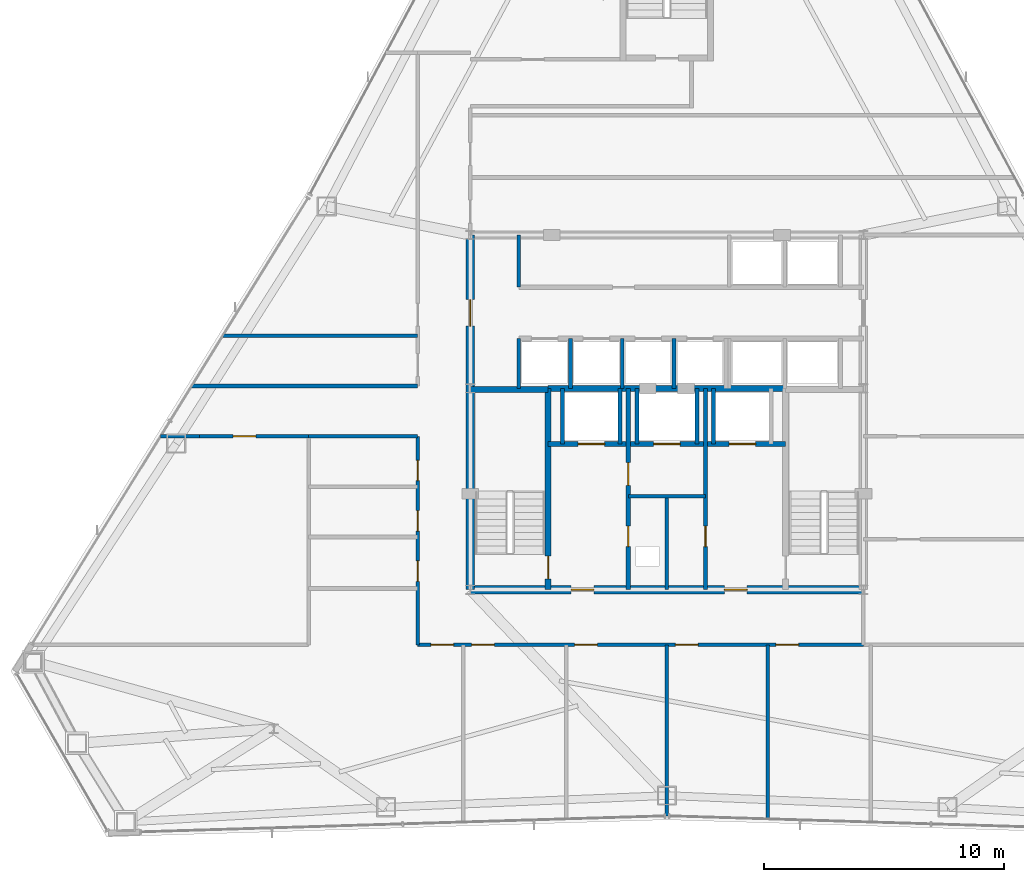
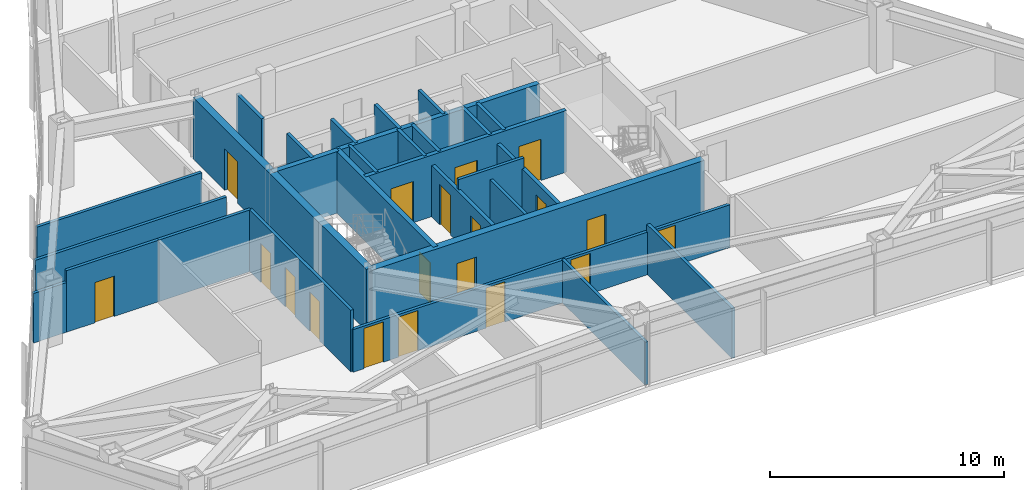
# One storey, part 10 of 13: 29 walls, 19 doors, 19 openings.
"""IFC4 building model written with IfcOpenShell, lengths in metres."""

from ifc_helpers import new_model, si_unit, direction, frame, frame_2d, origin, place, context, subcontext, project, spatial, rectangle, extrude, material, layer, layer_set, type_object, element, fill, save


model = new_model("IFC4")

# Units and contexts
model_context = context("Model", 3, precision=1e-05, world=origin(), true_north=direction((0.0, 1.0)))
body_context = subcontext(model_context, "Body", "Model", "MODEL_VIEW")
ifc_project = project(units=[si_unit("LENGTHUNIT", "METRE"), si_unit("AREAUNIT", "SQUARE_METRE"), si_unit("VOLUMEUNIT", "CUBIC_METRE"), si_unit("PLANEANGLEUNIT", "RADIAN"), si_unit("MASSUNIT", "GRAM", prefix="KILO")], contexts=[model_context])

# Site, building, storey
site_placement = place(None, origin())
site = spatial("IfcSite", under=ifc_project, at=site_placement, CompositionType="ELEMENT")
building_placement = place(site_placement, origin())
building = spatial("IfcBuilding", under=site, at=building_placement, Name="Varakhsha Concourse Tower", CompositionType="ELEMENT")
storey_placement = place(building_placement, frame((0.0, 0.0, 168.89990234375)))
storey = spatial("IfcBuildingStorey", under=building, at=storey_placement, Name="L48", CompositionType="ELEMENT", Elevation=168.89990234375)

# Wall, openings, doors
ifc_material_1 = material(Name="Concrete fc 65 MPa", Category="concrete")
ifc_layer_1 = layer(ifc_material_1, 0.35009765625, Name="WL-CORE-350")
ifc_layer_set_1 = layer_set([ifc_layer_1], Name="Concrete fc 65 MPa")
wall_type_1 = type_object("IfcWallType", Name="WL-CORE-350", PredefinedType="SHEAR", material=ifc_layer_set_1)
wall_1_placement = place(storey_placement, frame((31.800048828125, 16.39990234375, 0.0), z_axis=(0.0, 0.0, 1.0), x_axis=(1.0, 0.0, 0.0)))
wall_1 = element("IfcWall", 1, at=wall_1_placement, inside=storey, type_object=wall_type_1, Name="L48 Wall CWALL-S-L48", PredefinedType="SHEAR", context=body_context, shape_type="SweptSolid", body=[
    extrude(rectangle(XDim=16.39990234375, YDim=0.35009765625, at=frame_2d((8.199951171875, 0.0))), origin(), (0.0, 0.0, 1.0), 3.210205078125),
])
opening_1_placement = place(wall_1_placement, frame((4.199951171875, 0.0, 0.0)))
opening_1 = element("IfcOpeningElement", 2, at=opening_1_placement, cuts=wall_1, Name="Opening DF-05", PredefinedType="OPENING", context=body_context, shape_type="SweptSolid", body=[
    extrude(rectangle(XDim=0.949951171875, YDim=2.10009765625, at=frame_2d((0.47509765625, 1.050048828125))), frame((0.0, 0.18505859375, 0.0), z_axis=(0.0, -1.0, 0.0), x_axis=(1.0, 0.0, 0.0)), (0.0, 0.0, 1.0), 0.3701171875),
])
opening_2_placement = place(wall_1_placement, frame((10.60009765625, 0.0, 0.0)))
opening_2 = element("IfcOpeningElement", 3, at=opening_2_placement, cuts=wall_1, Name="Opening DF-05", PredefinedType="OPENING", context=body_context, shape_type="SweptSolid", body=[
    extrude(rectangle(XDim=0.949951171875, YDim=2.10009765625, at=frame_2d((0.47509765625, 1.050048828125))), frame((0.0, 0.18505859375, 0.0), z_axis=(0.0, -1.0, 0.0), x_axis=(1.0, 0.0, 0.0)), (0.0, 0.0, 1.0), 0.3701171875),
])
ifc_material_2 = material(Name="Hollow Galvanised Steel Fire Door Assembly", Category="steel")
door_type_1 = type_object("IfcDoorType", Name="DR-FD60-950", OperationType="NOTDEFINED", PredefinedType="DOOR", material=ifc_material_2)
door_1_placement = place(opening_1_placement, origin())
door_1 = element("IfcDoor", 4, at=door_1_placement, inside=storey, type_object=door_type_1, Name="L48 Firefighting Lobby West Door", OperationType="SINGLE_SWING_RIGHT", OverallHeight=2.10009765625, OverallWidth=0.949951171875, PredefinedType="DOOR", context=body_context, shape_type="SweptSolid", body=[
    extrude(rectangle(XDim=0.949951171875, YDim=2.10009765625, at=frame_2d((0.47509765625, 1.050048828125))), frame((0.0, 0.02490234375, 0.0), z_axis=(0.0, -1.0, 0.0), x_axis=(1.0, 0.0, 0.0)), (0.0, 0.0, 1.0), 0.050048828125),
])
fill(opening_1, door_1)
door_2_placement = place(opening_2_placement, origin())
door_2 = element("IfcDoor", 5, at=door_2_placement, inside=storey, type_object=door_type_1, Name="L48 Firefighting Lobby East Door", OperationType="SINGLE_SWING_LEFT", OverallHeight=2.10009765625, OverallWidth=0.949951171875, PredefinedType="DOOR", context=body_context, shape_type="SweptSolid", body=[
    extrude(rectangle(XDim=0.949951171875, YDim=2.10009765625, at=frame_2d((0.47509765625, 1.050048828125))), frame((0.0, 0.02490234375, 0.0), z_axis=(0.0, -1.0, 0.0), x_axis=(1.0, 0.0, 0.0)), (0.0, 0.0, 1.0), 0.050048828125),
])
fill(opening_2, door_2)

# Wall, opening, door
wall_2_placement = place(storey_placement, frame((31.800048828125, 16.39990234375, 0.0), z_axis=(0.0, 0.0, 1.0), x_axis=(0.0, 1.0, 0.0)))
wall_2 = element("IfcWall", 6, at=wall_2_placement, inside=storey, type_object=wall_type_1, Name="L48 Wall CWALL-W-L48", PredefinedType="SHEAR", context=body_context, shape_type="SweptSolid", body=[
    extrude(rectangle(XDim=14.800048828125, YDim=0.35009765625, at=frame_2d((7.39990234375, 0.0))), origin(), (0.0, 0.0, 1.0), 3.210205078125),
])
opening_3_placement = place(wall_2_placement, frame((11.0, 0.0, 0.0)))
opening_3 = element("IfcOpeningElement", 7, at=opening_3_placement, cuts=wall_2, Name="Opening DL-01", PredefinedType="OPENING", context=body_context, shape_type="SweptSolid", body=[
    extrude(rectangle(XDim=1.10009765625, YDim=2.14990234375, at=frame_2d((0.550048828125, 1.074951171875))), frame((0.0, 0.18505859375, 0.0), z_axis=(0.0, -1.0, 0.0), x_axis=(1.0, 0.0, 0.0)), (0.0, 0.0, 1.0), 0.3701171875),
])
ifc_material_3 = material(Name="Anodised Bronze Architectural Aluminium AA 6063-T6", Category="aluminium")
door_type_2 = type_object("IfcDoorType", Name="DR-LOB-1100", OperationType="NOTDEFINED", PredefinedType="DOOR", material=ifc_material_3)
door_3_placement = place(opening_3_placement, origin())
door_3 = element("IfcDoor", 8, at=door_3_placement, inside=storey, type_object=door_type_2, Name="L48 Lift Lobby West Concourse Door", OperationType="SINGLE_SWING_LEFT", OverallHeight=2.14990234375, OverallWidth=1.10009765625, PredefinedType="DOOR", context=body_context, shape_type="SweptSolid", body=[
    extrude(rectangle(XDim=1.10009765625, YDim=2.14990234375, at=frame_2d((0.550048828125, 1.074951171875))), frame((0.0, 0.02490234375, 0.0), z_axis=(0.0, -1.0, 0.0), x_axis=(1.0, 0.0, 0.0)), (0.0, 0.0, 1.0), 0.050048828125),
])
fill(opening_3, door_3)

# Wall, openings, doors
ifc_material_4 = material(Name="Fire-Rated Type X Gypsum Partition Assembly", Category="gypsum")
ifc_layer_2 = layer(ifc_material_4, 0.179931640625, Name="WL-FFLOB-180")
ifc_layer_set_2 = layer_set([ifc_layer_2], Name="Fire-Rated Type X Gypsum Partition Assembly")
wall_type_2 = type_object("IfcWallType", Name="WL-FFLOB-180", PredefinedType="PARTITIONING", material=ifc_layer_set_2)
wall_3_placement = place(storey_placement, frame((38.389892578125, 16.39990234375, 0.0), z_axis=(0.0, 0.0, 1.0), x_axis=(0.0, 1.0, 0.0)))
wall_3 = element("IfcWall", 9, at=wall_3_placement, inside=storey, type_object=wall_type_2, Name="L48 Wall FFW-1E-L48", PredefinedType="PARTITIONING", context=body_context, shape_type="SweptSolid", body=[
    extrude(rectangle(XDim=8.400146484375, YDim=0.179931640625, at=frame_2d((4.2001953125, 0.0))), origin(), (0.0, 0.0, 1.0), 2.6650390625),
])
opening_4_placement = place(wall_3_placement, frame((1.800048828125, 0.0, 0.0)))
opening_4 = element("IfcOpeningElement", 10, at=opening_4_placement, cuts=wall_3, Name="Opening DF-07", PredefinedType="OPENING", context=body_context, shape_type="SweptSolid", body=[
    extrude(rectangle(XDim=0.85009765625, YDim=2.050048828125, at=frame_2d((0.425048828125, 1.02490234375))), frame((0.0, 0.099853515625, 0.0), z_axis=(0.0, -1.0, 0.0), x_axis=(1.0, 0.0, 0.0)), (0.0, 0.0, 1.0), 0.199951171875),
])
opening_5_placement = place(wall_3_placement, frame((4.35009765625, 0.0, 0.0)))
opening_5 = element("IfcOpeningElement", 11, at=opening_5_placement, cuts=wall_3, Name="Opening DF-05", PredefinedType="OPENING", context=body_context, shape_type="SweptSolid", body=[
    extrude(rectangle(XDim=0.949951171875, YDim=2.10009765625, at=frame_2d((0.47509765625, 1.050048828125))), frame((0.0, 0.099853515625, 0.0), z_axis=(0.0, -1.0, 0.0), x_axis=(1.0, 0.0, 0.0)), (0.0, 0.0, 1.0), 0.199951171875),
])
door_type_3 = type_object("IfcDoorType", Name="DR-FD60-850", OperationType="NOTDEFINED", PredefinedType="DOOR", material=ifc_material_2)
door_4_placement = place(opening_4_placement, origin())
door_4 = element("IfcDoor", 12, at=door_4_placement, inside=storey, type_object=door_type_3, Name="L48 Power Metering Closet Door", OperationType="SINGLE_SWING_LEFT", OverallHeight=2.050048828125, OverallWidth=0.85009765625, PredefinedType="DOOR", context=body_context, shape_type="SweptSolid", body=[
    extrude(rectangle(XDim=0.85009765625, YDim=2.050048828125, at=frame_2d((0.425048828125, 1.02490234375))), frame((0.0, 0.02490234375, 0.0), z_axis=(0.0, -1.0, 0.0), x_axis=(1.0, 0.0, 0.0)), (0.0, 0.0, 1.0), 0.050048828125),
])
fill(opening_4, door_4)
door_5_placement = place(opening_5_placement, origin())
door_5 = element("IfcDoor", 13, at=door_5_placement, inside=storey, type_object=door_type_1, Name="L48 Service Vestibule Door", OperationType="SINGLE_SWING_RIGHT", OverallHeight=2.10009765625, OverallWidth=0.949951171875, PredefinedType="DOOR", context=body_context, shape_type="SweptSolid", body=[
    extrude(rectangle(XDim=0.949951171875, YDim=2.10009765625, at=frame_2d((0.47509765625, 1.050048828125))), frame((0.0, 0.02490234375, 0.0), z_axis=(0.0, -1.0, 0.0), x_axis=(1.0, 0.0, 0.0)), (0.0, 0.0, 1.0), 0.050048828125),
])
fill(opening_5, door_5)

# Wall, opening, door
wall_4_placement = place(storey_placement, frame((41.610107421875, 16.39990234375, 0.0), z_axis=(0.0, 0.0, 1.0), x_axis=(0.0, 1.0, 0.0)))
wall_4 = element("IfcWall", 14, at=wall_4_placement, inside=storey, type_object=wall_type_2, Name="L48 Wall FFW-2W-L48", PredefinedType="PARTITIONING", context=body_context, shape_type="SweptSolid", body=[
    extrude(rectangle(XDim=8.400146484375, YDim=0.179931640625, at=frame_2d((4.2001953125, 0.0))), origin(), (0.0, 0.0, 1.0), 2.6650390625),
])
opening_6_placement = place(wall_4_placement, frame((1.800048828125, 0.0, 0.0)))
opening_6 = element("IfcOpeningElement", 15, at=opening_6_placement, cuts=wall_4, Name="Opening DF-07", PredefinedType="OPENING", context=body_context, shape_type="SweptSolid", body=[
    extrude(rectangle(XDim=0.85009765625, YDim=2.050048828125, at=frame_2d((0.425048828125, 1.02490234375))), frame((0.0, 0.099853515625, 0.0), z_axis=(0.0, -1.0, 0.0), x_axis=(1.0, 0.0, 0.0)), (0.0, 0.0, 1.0), 0.199951171875),
])
door_6_placement = place(opening_6_placement, origin())
door_6 = element("IfcDoor", 16, at=door_6_placement, inside=storey, type_object=door_type_3, Name="L48 BMS Control Closet Door", OperationType="SINGLE_SWING_RIGHT", OverallHeight=2.050048828125, OverallWidth=0.85009765625, PredefinedType="DOOR", context=body_context, shape_type="SweptSolid", body=[
    extrude(rectangle(XDim=0.85009765625, YDim=2.050048828125, at=frame_2d((0.425048828125, 1.02490234375))), frame((0.0, 0.02490234375, 0.0), z_axis=(0.0, -1.0, 0.0), x_axis=(1.0, 0.0, 0.0)), (0.0, 0.0, 1.0), 0.050048828125),
])
fill(opening_6, door_6)

# Walls
ifc_layer_3 = layer(ifc_material_4, 0.14990234375, Name="WL-PART-150")
ifc_layer_set_3 = layer_set([ifc_layer_3], Name="Fire-Rated Type X Gypsum Partition Assembly")
wall_type_3 = type_object("IfcWallType", Name="WL-PART-150", PredefinedType="PARTITIONING", material=ifc_layer_set_3)
wall_5_placement = place(storey_placement, frame((38.389892578125, 20.300048828125, 0.0), z_axis=(0.0, 0.0, 1.0), x_axis=(1.0, 0.0, 0.0)))
element("IfcWall", 17, at=wall_5_placement, inside=storey, type_object=wall_type_3, Name="L48 Wall RSW-TH-L48", PredefinedType="PARTITIONING", context=body_context, shape_type="SweptSolid", body=[
    extrude(rectangle(XDim=3.22021484375, YDim=0.14990234375, at=frame_2d((1.610107421875, 0.0))), origin(), (0.0, 0.0, 1.0), 3.210205078125),
])
wall_6_placement = place(storey_placement, frame((40.0, 16.39990234375, 0.0), z_axis=(0.0, 0.0, 1.0), x_axis=(0.0, 1.0, 0.0)))
element("IfcWall", 18, at=wall_6_placement, inside=storey, type_object=wall_type_3, Name="L48 Wall RSW-TV-L48", PredefinedType="PARTITIONING", context=body_context, shape_type="SweptSolid", body=[
    extrude(rectangle(XDim=3.900146484375, YDim=0.14990234375, at=frame_2d((1.9501953125, 0.0))), origin(), (0.0, 0.0, 1.0), 2.6650390625),
])

# Wall, openings, doors
wall_7_placement = place(storey_placement, frame((29.60009765625, 14.10009765625, 0.0), z_axis=(0.0, 0.0, 1.0), x_axis=(1.0, 0.0, 0.0)))
wall_7 = element("IfcWall", 19, at=wall_7_placement, inside=storey, type_object=wall_type_3, Name="L48 Wall CRW-S-L48", PredefinedType="PARTITIONING", context=body_context, shape_type="SweptSolid", body=[
    extrude(rectangle(XDim=18.599853515625, YDim=0.14990234375, at=frame_2d((9.2998046875, 0.0))), origin(), (0.0, 0.0, 1.0), 2.22509765625),
])
opening_7_placement = place(wall_7_placement, frame((0.550048828125, 0.0, 0.0)))
opening_7 = element("IfcOpeningElement", 20, at=opening_7_placement, cuts=wall_7, Name="Opening DF-05", PredefinedType="OPENING", context=body_context, shape_type="SweptSolid", body=[
    extrude(rectangle(XDim=0.949951171875, YDim=2.10009765625, at=frame_2d((0.47509765625, 1.050048828125))), frame((0.0, 0.0849609375, 0.0), z_axis=(0.0, -1.0, 0.0), x_axis=(1.0, 0.0, 0.0)), (0.0, 0.0, 1.0), 0.169921875),
])
opening_8_placement = place(wall_7_placement, frame((2.25, 0.0, 0.0)))
opening_8 = element("IfcOpeningElement", 21, at=opening_8_placement, cuts=wall_7, Name="Opening DF-05", PredefinedType="OPENING", context=body_context, shape_type="SweptSolid", body=[
    extrude(rectangle(XDim=0.949951171875, YDim=2.10009765625, at=frame_2d((0.47509765625, 1.050048828125))), frame((0.0, 0.0849609375, 0.0), z_axis=(0.0, -1.0, 0.0), x_axis=(1.0, 0.0, 0.0)), (0.0, 0.0, 1.0), 0.169921875),
])
opening_9_placement = place(wall_7_placement, frame((6.550048828125, 0.0, 0.0)))
opening_9 = element("IfcOpeningElement", 22, at=opening_9_placement, cuts=wall_7, Name="Opening DF-05", PredefinedType="OPENING", context=body_context, shape_type="SweptSolid", body=[
    extrude(rectangle(XDim=0.949951171875, YDim=2.10009765625, at=frame_2d((0.47509765625, 1.050048828125))), frame((0.0, 0.0849609375, 0.0), z_axis=(0.0, -1.0, 0.0), x_axis=(1.0, 0.0, 0.0)), (0.0, 0.0, 1.0), 0.169921875),
])
opening_10_placement = place(wall_7_placement, frame((10.75, 0.0, 0.0)))
opening_10 = element("IfcOpeningElement", 23, at=opening_10_placement, cuts=wall_7, Name="Opening DF-05", PredefinedType="OPENING", context=body_context, shape_type="SweptSolid", body=[
    extrude(rectangle(XDim=0.949951171875, YDim=2.10009765625, at=frame_2d((0.47509765625, 1.050048828125))), frame((0.0, 0.0849609375, 0.0), z_axis=(0.0, -1.0, 0.0), x_axis=(1.0, 0.0, 0.0)), (0.0, 0.0, 1.0), 0.169921875),
])
opening_11_placement = place(wall_7_placement, frame((14.949951171875, 0.0, 0.0)))
opening_11 = element("IfcOpeningElement", 24, at=opening_11_placement, cuts=wall_7, Name="Opening DF-05", PredefinedType="OPENING", context=body_context, shape_type="SweptSolid", body=[
    extrude(rectangle(XDim=0.949951171875, YDim=2.10009765625, at=frame_2d((0.47509765625, 1.050048828125))), frame((0.0, 0.0849609375, 0.0), z_axis=(0.0, -1.0, 0.0), x_axis=(1.0, 0.0, 0.0)), (0.0, 0.0, 1.0), 0.169921875),
])
door_7_placement = place(opening_7_placement, origin())
door_7 = element("IfcDoor", 25, at=door_7_placement, inside=storey, type_object=door_type_1, Name="L48 Project Pitch Room L48-S1 Door", OperationType="SINGLE_SWING_LEFT", OverallHeight=2.10009765625, OverallWidth=0.949951171875, PredefinedType="DOOR", context=body_context, shape_type="SweptSolid", body=[
    extrude(rectangle(XDim=0.949951171875, YDim=2.10009765625, at=frame_2d((0.47509765625, 1.050048828125))), frame((0.0, 0.02490234375, 0.0), z_axis=(0.0, -1.0, 0.0), x_axis=(1.0, 0.0, 0.0)), (0.0, 0.0, 1.0), 0.050048828125),
])
fill(opening_7, door_7)
door_8_placement = place(opening_8_placement, origin())
door_8 = element("IfcDoor", 26, at=door_8_placement, inside=storey, type_object=door_type_1, Name="L48 Hot-Desk Studio Neighborhood L48-S2 Door", OperationType="SINGLE_SWING_RIGHT", OverallHeight=2.10009765625, OverallWidth=0.949951171875, PredefinedType="DOOR", context=body_context, shape_type="SweptSolid", body=[
    extrude(rectangle(XDim=0.949951171875, YDim=2.10009765625, at=frame_2d((0.47509765625, 1.050048828125))), frame((0.0, 0.02490234375, 0.0), z_axis=(0.0, -1.0, 0.0), x_axis=(1.0, 0.0, 0.0)), (0.0, 0.0, 1.0), 0.050048828125),
])
fill(opening_8, door_8)
door_9_placement = place(opening_9_placement, origin())
door_9 = element("IfcDoor", 27, at=door_9_placement, inside=storey, type_object=door_type_1, Name="L48 Hot-Desk Studio Neighborhood L48-S3 Door", OperationType="SINGLE_SWING_LEFT", OverallHeight=2.10009765625, OverallWidth=0.949951171875, PredefinedType="DOOR", context=body_context, shape_type="SweptSolid", body=[
    extrude(rectangle(XDim=0.949951171875, YDim=2.10009765625, at=frame_2d((0.47509765625, 1.050048828125))), frame((0.0, 0.02490234375, 0.0), z_axis=(0.0, -1.0, 0.0), x_axis=(1.0, 0.0, 0.0)), (0.0, 0.0, 1.0), 0.050048828125),
])
fill(opening_9, door_9)
door_10_placement = place(opening_10_placement, origin())
door_10 = element("IfcDoor", 28, at=door_10_placement, inside=storey, type_object=door_type_1, Name="L48 Hot-Desk Studio Neighborhood L48-S4 Door", OperationType="SINGLE_SWING_RIGHT", OverallHeight=2.10009765625, OverallWidth=0.949951171875, PredefinedType="DOOR", context=body_context, shape_type="SweptSolid", body=[
    extrude(rectangle(XDim=0.949951171875, YDim=2.10009765625, at=frame_2d((0.47509765625, 1.050048828125))), frame((0.0, 0.02490234375, 0.0), z_axis=(0.0, -1.0, 0.0), x_axis=(1.0, 0.0, 0.0)), (0.0, 0.0, 1.0), 0.050048828125),
])
fill(opening_10, door_10)
door_11_placement = place(opening_11_placement, origin())
door_11 = element("IfcDoor", 29, at=door_11_placement, inside=storey, type_object=door_type_1, Name="L48 Hot-Desk Studio Neighborhood L48-S5 Door", OperationType="SINGLE_SWING_LEFT", OverallHeight=2.10009765625, OverallWidth=0.949951171875, PredefinedType="DOOR", context=body_context, shape_type="SweptSolid", body=[
    extrude(rectangle(XDim=0.949951171875, YDim=2.10009765625, at=frame_2d((0.47509765625, 1.050048828125))), frame((0.0, 0.02490234375, 0.0), z_axis=(0.0, -1.0, 0.0), x_axis=(1.0, 0.0, 0.0)), (0.0, 0.0, 1.0), 0.050048828125),
])
fill(opening_11, door_11)

wall_8_placement = place(storey_placement, frame((29.60009765625, 14.10009765625, 0.0), z_axis=(0.0, 0.0, 1.0), x_axis=(0.0, 1.0, 0.0)))
wall_8 = element("IfcWall", 30, at=wall_8_placement, inside=storey, type_object=wall_type_3, Name="L48 Wall CRW-WS-L48", PredefinedType="PARTITIONING", context=body_context, shape_type="SweptSolid", body=[
    extrude(rectangle(XDim=8.699951171875, YDim=0.14990234375, at=frame_2d((4.35009765625, 0.0))), origin(), (0.0, 0.0, 1.0), 3.210205078125),
])
opening_12_placement = place(wall_8_placement, frame((2.64990234375, 0.0, 0.0)))
opening_12 = element("IfcOpeningElement", 31, at=opening_12_placement, cuts=wall_8, Name="Opening DF-07", PredefinedType="OPENING", context=body_context, shape_type="SweptSolid", body=[
    extrude(rectangle(XDim=0.85009765625, YDim=2.050048828125, at=frame_2d((0.425048828125, 1.02490234375))), frame((0.0, 0.0849609375, 0.0), z_axis=(0.0, -1.0, 0.0), x_axis=(1.0, 0.0, 0.0)), (0.0, 0.0, 1.0), 0.169921875),
])
opening_13_placement = place(wall_8_placement, frame((4.75, 0.0, 0.0)))
opening_13 = element("IfcOpeningElement", 32, at=opening_13_placement, cuts=wall_8, Name="Opening DF-07", PredefinedType="OPENING", context=body_context, shape_type="SweptSolid", body=[
    extrude(rectangle(XDim=0.85009765625, YDim=2.050048828125, at=frame_2d((0.425048828125, 1.02490234375))), frame((0.0, 0.0849609375, 0.0), z_axis=(0.0, -1.0, 0.0), x_axis=(1.0, 0.0, 0.0)), (0.0, 0.0, 1.0), 0.169921875),
])
opening_14_placement = place(wall_8_placement, frame((6.85009765625, 0.0, 0.0)))
opening_14 = element("IfcOpeningElement", 33, at=opening_14_placement, cuts=wall_8, Name="Opening DF-07", PredefinedType="OPENING", context=body_context, shape_type="SweptSolid", body=[
    extrude(rectangle(XDim=0.85009765625, YDim=2.050048828125, at=frame_2d((0.425048828125, 1.02490234375))), frame((0.0, 0.0849609375, 0.0), z_axis=(0.0, -1.0, 0.0), x_axis=(1.0, 0.0, 0.0)), (0.0, 0.0, 1.0), 0.169921875),
])
door_12_placement = place(opening_12_placement, origin())
door_12 = element("IfcDoor", 34, at=door_12_placement, inside=storey, type_object=door_type_3, Name="L48 Men Restroom WC Door", OperationType="SINGLE_SWING_LEFT", OverallHeight=2.050048828125, OverallWidth=0.85009765625, PredefinedType="DOOR", context=body_context, shape_type="SweptSolid", body=[
    extrude(rectangle(XDim=0.85009765625, YDim=2.050048828125, at=frame_2d((0.425048828125, 1.02490234375))), frame((0.0, 0.02490234375, 0.0), z_axis=(0.0, -1.0, 0.0), x_axis=(1.0, 0.0, 0.0)), (0.0, 0.0, 1.0), 0.050048828125),
])
fill(opening_12, door_12)
door_13_placement = place(opening_13_placement, origin())
door_13 = element("IfcDoor", 35, at=door_13_placement, inside=storey, type_object=door_type_3, Name="L48 Women Restroom WC Door", OperationType="SINGLE_SWING_LEFT", OverallHeight=2.050048828125, OverallWidth=0.85009765625, PredefinedType="DOOR", context=body_context, shape_type="SweptSolid", body=[
    extrude(rectangle(XDim=0.85009765625, YDim=2.050048828125, at=frame_2d((0.425048828125, 1.02490234375))), frame((0.0, 0.02490234375, 0.0), z_axis=(0.0, -1.0, 0.0), x_axis=(1.0, 0.0, 0.0)), (0.0, 0.0, 1.0), 0.050048828125),
])
fill(opening_13, door_13)
door_14_placement = place(opening_14_placement, origin())
door_14 = element("IfcDoor", 36, at=door_14_placement, inside=storey, type_object=door_type_3, Name="L48 Accessible WC Door", OperationType="SINGLE_SWING_LEFT", OverallHeight=2.050048828125, OverallWidth=0.85009765625, PredefinedType="DOOR", context=body_context, shape_type="SweptSolid", body=[
    extrude(rectangle(XDim=0.85009765625, YDim=2.050048828125, at=frame_2d((0.425048828125, 1.02490234375))), frame((0.0, 0.02490234375, 0.0), z_axis=(0.0, -1.0, 0.0), x_axis=(1.0, 0.0, 0.0)), (0.0, 0.0, 1.0), 0.050048828125),
])
fill(opening_14, door_14)

# Walls
wall_9_placement = place(storey_placement, frame((18.875732421875, 22.800048828125, 0.0), z_axis=(0.0, 0.0, 1.0), x_axis=(1.0, 0.0, 0.0)))
element("IfcWall", 37, at=wall_9_placement, inside=storey, type_object=wall_type_3, Name="L48 Wall CRW-WWS-W-L48", PredefinedType="PARTITIONING", context=body_context, shape_type="SweptSolid", body=[
    extrude(rectangle(XDim=1.624267578125, YDim=0.14990234375, at=frame_2d((0.81201171875, 0.0))), origin(), (0.0, 0.0, 1.0), 2.589111328125),
])
wall_10_placement = place(storey_placement, frame((25.050048828125, 22.800048828125, 0.0), z_axis=(0.0, 0.0, 1.0), x_axis=(1.0, 0.0, 0.0)))
element("IfcWall", 38, at=wall_10_placement, inside=storey, type_object=wall_type_3, Name="L48 Wall CRW-WWS-E-L48", PredefinedType="PARTITIONING", context=body_context, shape_type="SweptSolid", body=[
    extrude(rectangle(XDim=4.550048828125, YDim=0.14990234375, at=frame_2d((2.27490234375, 0.0))), origin(), (0.0, 0.0, 1.0), 3.210205078125),
])
wall_11_placement = place(storey_placement, frame((20.17529296875, 24.89990234375, 0.0), z_axis=(0.0, 0.0, 1.0), x_axis=(1.0, 0.0, 0.0)))
element("IfcWall", 39, at=wall_11_placement, inside=storey, type_object=wall_type_3, Name="L48 Wall CRW-WWN-L48", PredefinedType="PARTITIONING", context=body_context, shape_type="SweptSolid", body=[
    extrude(rectangle(XDim=9.4248046875, YDim=0.14990234375, at=frame_2d((4.71240234375, 0.0))), origin(), (0.0, 0.0, 1.0), 2.589111328125),
])
wall_12_placement = place(storey_placement, frame((40.0, 6.965087890625, 0.0), z_axis=(0.0, 0.0, 1.0), x_axis=(0.0, 1.0, 0.0)))
element("IfcWall", 40, at=wall_12_placement, inside=storey, type_object=wall_type_3, Name="L48 Wall ODIV-S3-L48", PredefinedType="PARTITIONING", context=body_context, shape_type="SweptSolid", body=[
    extrude(rectangle(XDim=7.135009765625, YDim=0.14990234375, at=frame_2d((3.5673828125, 0.0))), origin(), (0.0, 0.0, 1.0), 2.22509765625),
])
wall_13_placement = place(storey_placement, frame((44.199951171875, 6.837158203125, 0.0), z_axis=(0.0, 0.0, 1.0), x_axis=(0.0, 1.0, 0.0)))
element("IfcWall", 41, at=wall_13_placement, inside=storey, type_object=wall_type_3, Name="L48 Wall ODIV-S4-L48", PredefinedType="PARTITIONING", context=body_context, shape_type="SweptSolid", body=[
    extrude(rectangle(XDim=7.262939453125, YDim=0.14990234375, at=frame_2d((3.63134765625, 0.0))), origin(), (0.0, 0.0, 1.0), 2.589111328125),
])

# Wall, opening, door
wall_14_placement = place(storey_placement, frame((20.5, 22.800048828125, 0.0), z_axis=(0.0, 0.0, 1.0), x_axis=(1.0, 0.0, 0.0)))
wall_14 = element("IfcWall", 42, at=wall_14_placement, inside=storey, type_object=wall_type_3, Name="L48 Wall CRW-WWS-DOOR-L48", PredefinedType="PARTITIONING", context=body_context, shape_type="SweptSolid", body=[
    extrude(rectangle(XDim=4.550048828125, YDim=0.14990234375, at=frame_2d((2.27490234375, 0.0))), origin(), (0.0, 0.0, 1.0), 3.210205078125),
])
opening_15_placement = place(wall_14_placement, frame((1.39990234375, 0.0, 0.0)))
opening_15 = element("IfcOpeningElement", 43, at=opening_15_placement, cuts=wall_14, Name="Opening DF-05", PredefinedType="OPENING", context=body_context, shape_type="SweptSolid", body=[
    extrude(rectangle(XDim=0.949951171875, YDim=2.10009765625, at=frame_2d((0.47509765625, 1.050048828125))), frame((0.0, 0.0849609375, 0.0), z_axis=(0.0, -1.0, 0.0), x_axis=(1.0, 0.0, 0.0)), (0.0, 0.0, 1.0), 0.169921875),
])
door_15_placement = place(opening_15_placement, origin())
door_15 = element("IfcDoor", 44, at=door_15_placement, inside=storey, type_object=door_type_1, Name="L48 Town-Hall Innovation Lounge L48-SW Door", OperationType="SINGLE_SWING_LEFT", OverallHeight=2.10009765625, OverallWidth=0.949951171875, PredefinedType="DOOR", context=body_context, shape_type="SweptSolid", body=[
    extrude(rectangle(XDim=0.949951171875, YDim=2.10009765625, at=frame_2d((0.47509765625, 1.050048828125))), frame((0.0, 0.02490234375, 0.0), z_axis=(0.0, -1.0, 0.0), x_axis=(1.0, 0.0, 0.0)), (0.0, 0.0, 1.0), 0.050048828125),
])
fill(opening_15, door_15)

# Wall
wall_15_placement = place(storey_placement, frame((21.474609375, 27.0, 0.0), z_axis=(0.0, 0.0, 1.0), x_axis=(1.0, 0.0, 0.0)))
element("IfcWall", 45, at=wall_15_placement, inside=storey, type_object=wall_type_3, Name="L48 Wall ODIV-W1-L48", PredefinedType="PARTITIONING", context=body_context, shape_type="SweptSolid", body=[
    extrude(rectangle(XDim=8.12548828125, YDim=0.14990234375, at=frame_2d((4.062744140625, 0.0))), origin(), (0.0, 0.0, 1.0), 2.589111328125),
])

# Wall, openings, doors
ifc_layer_4 = layer(ifc_material_4, 0.199951171875, Name="WL-SHAFT-220")
ifc_layer_set_4 = layer_set([ifc_layer_4], Name="Fire-Rated Type X Gypsum Partition Assembly")
wall_type_4 = type_object("IfcWallType", Name="WL-SHAFT-220", PredefinedType="SOLIDWALL", material=ifc_layer_set_4)
wall_16_placement = place(storey_placement, frame((35.044921875, 22.47998046875, 0.0), z_axis=(0.0, 0.0, 1.0), x_axis=(1.0, 0.0, 0.0)))
wall_16 = element("IfcWall", 46, at=wall_16_placement, inside=storey, type_object=wall_type_4, Name="L48 Wall FFW-NH-L48", PredefinedType="SOLIDWALL", context=body_context, shape_type="SweptSolid", body=[
    extrude(rectangle(XDim=9.91015625, YDim=0.199951171875, at=frame_2d((4.955078125, 0.0))), origin(), (0.0, 0.0, 1.0), 3.210205078125),
])
opening_16_placement = place(wall_16_placement, frame((1.2548828125, 0.0, 0.0)))
opening_16 = element("IfcOpeningElement", 47, at=opening_16_placement, cuts=wall_16, Name="Opening LD-FFL-1", PredefinedType="OPENING", context=body_context, shape_type="SweptSolid", body=[
    extrude(rectangle(XDim=1.10009765625, YDim=2.14990234375, at=frame_2d((0.550048828125, 1.074951171875))), frame((0.0, 0.10986328125, 0.0), z_axis=(0.0, -1.0, 0.0), x_axis=(1.0, 0.0, 0.0)), (0.0, 0.0, 1.0), 0.219970703125),
])
opening_17_placement = place(wall_16_placement, frame((7.554931640625, 0.0, 0.0)))
opening_17 = element("IfcOpeningElement", 48, at=opening_17_placement, cuts=wall_16, Name="Opening LD-FFL-2", PredefinedType="OPENING", context=body_context, shape_type="SweptSolid", body=[
    extrude(rectangle(XDim=1.10009765625, YDim=2.14990234375, at=frame_2d((0.550048828125, 1.074951171875))), frame((0.0, 0.10986328125, 0.0), z_axis=(0.0, -1.0, 0.0), x_axis=(1.0, 0.0, 0.0)), (0.0, 0.0, 1.0), 0.219970703125),
])
opening_18_placement = place(wall_16_placement, frame((4.405029296875, 0.0, 0.0)))
opening_18 = element("IfcOpeningElement", 49, at=opening_18_placement, cuts=wall_16, Name="Opening LD-SVL-1", PredefinedType="OPENING", context=body_context, shape_type="SweptSolid", body=[
    extrude(rectangle(XDim=1.10009765625, YDim=2.14990234375, at=frame_2d((0.550048828125, 1.074951171875))), frame((0.0, 0.10986328125, 0.0), z_axis=(0.0, -1.0, 0.0), x_axis=(1.0, 0.0, 0.0)), (0.0, 0.0, 1.0), 0.219970703125),
])
ifc_material_5 = material(Name="Brushed Austenitic Stainless Steel AISI 316", Category="steel")
door_type_4 = type_object("IfcDoorType", Name="DR-LD-1100", OperationType="DOUBLE_DOOR_SLIDING", PredefinedType="DOOR", material=ifc_material_5)
door_16_placement = place(opening_16_placement, origin())
door_16 = element("IfcDoor", 50, at=door_16_placement, inside=storey, type_object=door_type_4, Name="Lift Landing Door FFL-1 L48", OperationType="DOUBLE_DOOR_SLIDING", OverallHeight=2.14990234375, OverallWidth=1.10009765625, PredefinedType="DOOR", context=body_context, shape_type="SweptSolid", body=[
    extrude(rectangle(XDim=1.10009765625, YDim=2.14990234375, at=frame_2d((0.550048828125, 1.074951171875))), frame((0.0, 0.02490234375, 0.0), z_axis=(0.0, -1.0, 0.0), x_axis=(1.0, 0.0, 0.0)), (0.0, 0.0, 1.0), 0.050048828125),
])
fill(opening_16, door_16)
door_17_placement = place(opening_17_placement, origin())
door_17 = element("IfcDoor", 51, at=door_17_placement, inside=storey, type_object=door_type_4, Name="Lift Landing Door FFL-2 L48", OperationType="DOUBLE_DOOR_SLIDING", OverallHeight=2.14990234375, OverallWidth=1.10009765625, PredefinedType="DOOR", context=body_context, shape_type="SweptSolid", body=[
    extrude(rectangle(XDim=1.10009765625, YDim=2.14990234375, at=frame_2d((0.550048828125, 1.074951171875))), frame((0.0, 0.02490234375, 0.0), z_axis=(0.0, -1.0, 0.0), x_axis=(1.0, 0.0, 0.0)), (0.0, 0.0, 1.0), 0.050048828125),
])
fill(opening_17, door_17)
door_18_placement = place(opening_18_placement, origin())
door_18 = element("IfcDoor", 52, at=door_18_placement, inside=storey, type_object=door_type_4, Name="Lift Landing Door SVL-1 L48", OperationType="DOUBLE_DOOR_SLIDING", OverallHeight=2.14990234375, OverallWidth=1.10009765625, PredefinedType="DOOR", context=body_context, shape_type="SweptSolid", body=[
    extrude(rectangle(XDim=1.10009765625, YDim=2.14990234375, at=frame_2d((0.550048828125, 1.074951171875))), frame((0.0, 0.02490234375, 0.0), z_axis=(0.0, -1.0, 0.0), x_axis=(1.0, 0.0, 0.0)), (0.0, 0.0, 1.0), 0.050048828125),
])
fill(opening_18, door_18)

# Walls
for number, where, z_axis, x_axis, name in (
    (53, (35.64990234375, 22.47998046875, 0.0), (0.0, 0.0, 1.0), (0.0, 1.0, 0.0), "L48 Wall SHW-FFL-1-W-L48"),
    (54, (38.050048828125, 22.47998046875, 0.0), (0.0, 0.0, 1.0), (0.0, 1.0, 0.0), "L48 Wall SHW-FFL-1-E-L48"),
    (55, (41.949951171875, 22.47998046875, 0.0), (0.0, 0.0, 1.0), (0.0, 1.0, 0.0), "L48 Wall SHW-FFL-2-W-L48"),
    (56, (38.75, 22.47998046875, 0.0), (0.0, 0.0, 1.0), (0.0, 1.0, 0.0), "L48 Wall SHW-SVL-1-W-L48"),
    (57, (41.25, 22.47998046875, 0.0), (0.0, 0.0, 1.0), (0.0, 1.0, 0.0), "L48 Wall SHW-SVL-1-E-L48"),
):
    element("IfcWall", number, at=place(storey_placement, frame(where, z_axis=z_axis, x_axis=x_axis)), inside=storey, type_object=wall_type_4, Name=name, PredefinedType="SOLIDWALL", context=body_context, shape_type="SweptSolid", body=[
        extrude(rectangle(XDim=2.320068359375, YDim=0.159912109375, at=frame_2d((1.16015625, 0.0))), origin(), (0.0, 0.0, 1.0), 3.210205078125),
    ])
wall_17_placement = place(storey_placement, frame((33.820068359375, 29.02001953125, 0.0), z_axis=(0.0, 0.0, 1.0), x_axis=(0.0, 1.0, 0.0)))
element("IfcWall", 58, at=wall_17_placement, inside=storey, type_object=wall_type_4, Name="L48 Wall WBOH-E1-L48", PredefinedType="SOLIDWALL", context=body_context, shape_type="SweptSolid", body=[
    extrude(rectangle(XDim=2.179931640625, YDim=0.159912109375, at=frame_2d((1.08984375, 0.0))), origin(), (0.0, 0.0, 1.0), 2.6650390625),
])
for number, where, z_axis, x_axis, name in (
    (59, (33.820068359375, 24.800048828125, 0.0), (0.0, 0.0, 1.0), (0.0, 1.0, 0.0), "L48 Wall WBOH-E2-L48"),
    (60, (35.97998046875, 24.800048828125, 0.0), (0.0, 0.0, 1.0), (0.0, 1.0, 0.0), "L48 Wall SHW-LF-P05-E-L48"),
    (61, (38.139892578125, 24.800048828125, 0.0), (0.0, 0.0, 1.0), (0.0, 1.0, 0.0), "L48 Wall SHW-LF-P06-E-L48"),
    (62, (40.300048828125, 24.800048828125, 0.0), (0.0, 0.0, 1.0), (0.0, 1.0, 0.0), "L48 Wall SHW-LF-P07-E-L48"),
):
    element("IfcWall", number, at=place(storey_placement, frame(where, z_axis=z_axis, x_axis=x_axis)), inside=storey, type_object=wall_type_4, Name=name, PredefinedType="SOLIDWALL", context=body_context, shape_type="SweptSolid", body=[
        extrude(rectangle(XDim=2.079833984375, YDim=0.159912109375, at=frame_2d((1.0400390625, 0.0))), origin(), (0.0, 0.0, 1.0), 3.210205078125),
    ])

# Wall, opening, door
ifc_material_6 = material(Name="Concrete fc 45 MPa", Category="concrete")
ifc_layer_5 = layer(ifc_material_6, 0.25, Name="WL-STAIR-250")
ifc_layer_set_5 = layer_set([ifc_layer_5], Name="Concrete fc 45 MPa")
wall_type_5 = type_object("IfcWallType", Name="WL-STAIR-250", PredefinedType="SHEAR", material=ifc_layer_set_5)
wall_18_placement = place(storey_placement, frame((35.044921875, 16.39990234375, 0.0), z_axis=(0.0, 0.0, 1.0), x_axis=(0.0, 1.0, 0.0)))
wall_18 = element("IfcWall", 63, at=wall_18_placement, inside=storey, type_object=wall_type_5, Name="L48 Wall SWALL-ST1-E-L48", PredefinedType="SHEAR", context=body_context, shape_type="SweptSolid", body=[
    extrude(rectangle(XDim=8.400146484375, YDim=0.25, at=frame_2d((4.2001953125, 0.0))), origin(), (0.0, 0.0, 1.0), 3.210205078125),
])
opening_19_placement = place(wall_18_placement, frame((0.449951171875, 0.0, 0.0)))
opening_19 = element("IfcOpeningElement", 64, at=opening_19_placement, cuts=wall_18, Name="Opening DF-03", PredefinedType="OPENING", context=body_context, shape_type="SweptSolid", body=[
    extrude(rectangle(XDim=0.949951171875, YDim=2.10009765625, at=frame_2d((0.47509765625, 1.050048828125))), frame((0.0, 0.135009765625, 0.0), z_axis=(0.0, -1.0, 0.0), x_axis=(1.0, 0.0, 0.0)), (0.0, 0.0, 1.0), 0.27001953125),
])
door_type_5 = type_object("IfcDoorType", Name="DR-FD90-950", OperationType="NOTDEFINED", PredefinedType="DOOR", material=ifc_material_2)
door_19_placement = place(opening_19_placement, origin())
door_19 = element("IfcDoor", 65, at=door_19_placement, inside=storey, type_object=door_type_5, Name="L48 Stair ST1 Fire Door", OperationType="SINGLE_SWING_LEFT", OverallHeight=2.10009765625, OverallWidth=0.949951171875, PredefinedType="DOOR", context=body_context, shape_type="SweptSolid", body=[
    extrude(rectangle(XDim=0.949951171875, YDim=2.10009765625, at=frame_2d((0.47509765625, 1.050048828125))), frame((0.0, 0.02490234375, 0.0), z_axis=(0.0, -1.0, 0.0), x_axis=(1.0, 0.0, 0.0)), (0.0, 0.0, 1.0), 0.050048828125),
])
fill(opening_19, door_19)

# Walls
wall_19_placement = place(storey_placement, frame((31.800048828125, 24.7548828125, 0.0), z_axis=(0.0, 0.0, 1.0), x_axis=(1.0, 0.0, 0.0)))
element("IfcWall", 66, at=wall_19_placement, inside=storey, type_object=wall_type_5, Name="L48 Wall SWALL-ST1-N-L48", PredefinedType="SHEAR", context=body_context, shape_type="SweptSolid", body=[
    extrude(rectangle(XDim=3.244873046875, YDim=0.25, at=frame_2d((1.62255859375, 0.0))), origin(), (0.0, 0.0, 1.0), 3.210205078125),
])
wall_20_placement = place(storey_placement, frame((35.044921875, 24.800048828125, 0.0), z_axis=(0.0, 0.0, 1.0), x_axis=(1.0, 0.0, 0.0)))
element("IfcWall", 67, at=wall_20_placement, inside=storey, type_object=wall_type_5, Name="L48 Wall SWALL-MID-H-L48", PredefinedType="SHEAR", context=body_context, shape_type="SweptSolid", body=[
    extrude(rectangle(XDim=9.91015625, YDim=0.25, at=frame_2d((4.955078125, 0.0))), origin(), (0.0, 0.0, 1.0), 3.210205078125),
])

save(model, "model.ifc")
